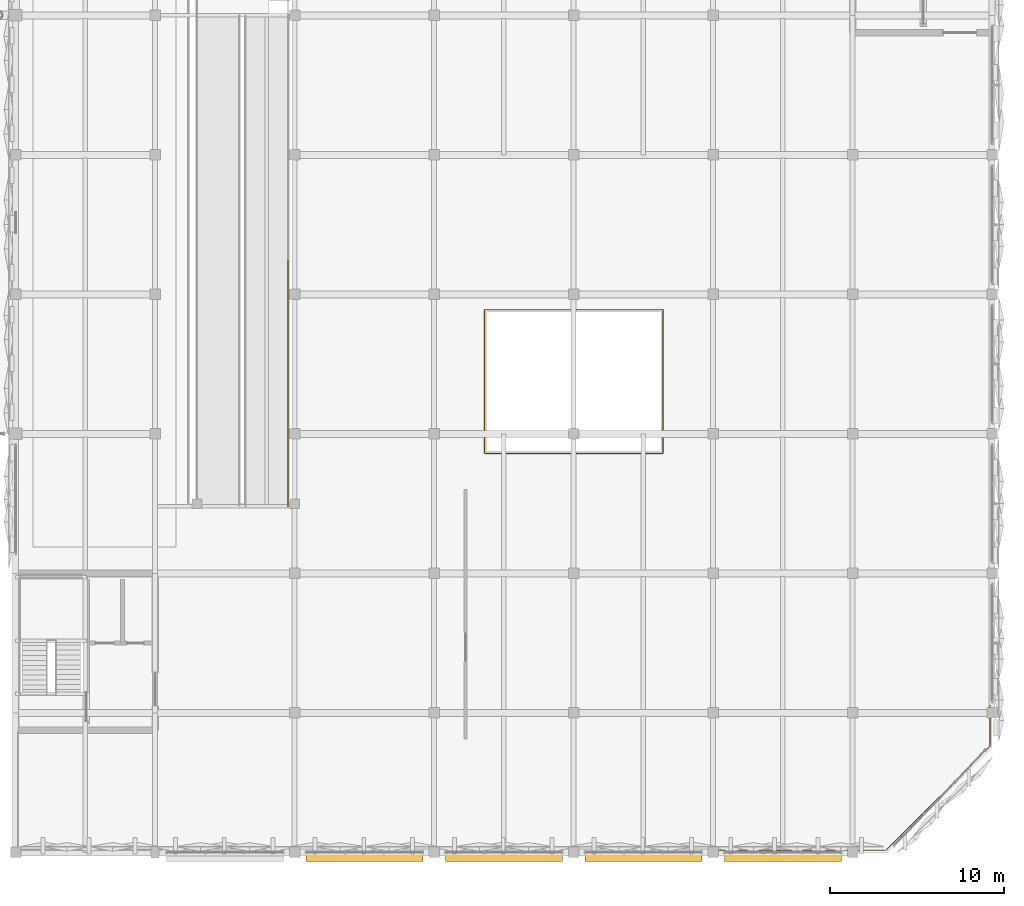
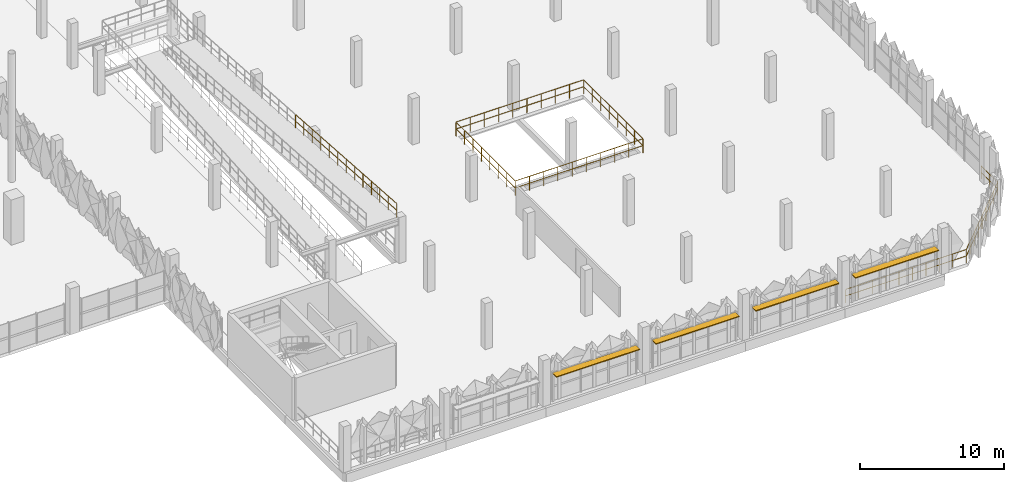
# One storey, part 116 of 123: 4 shading devices, 3 railings.
"""IFC4 building model written with IfcOpenShell, lengths in metres."""

import ifcopenshell
import ifcopenshell.guid

model = None  # the IFC model being written
_history = None  # IfcOwnerHistory: only IFC2X3 demands one
_inside = {}  # id of a spatial element -> (the spatial element, [elements in it])
_under = {}  # id of a project, library or spatial element -> (it, [spatial elements below it])
_declared = {}  # id of a project -> (the project, [libraries it declares])
_typed = {}  # id of a type object -> (the type object, [elements of that type])
_made_of = {}  # id of a material, layer set ... -> (it, [elements and type objects made of it])


def new_model(schema):
    """Start an empty IFC model of exactly this schema.

    Asked for "IFC4X3", IfcOpenShell would pick the latest addendum, in which some entities
    have other attributes; the version numbers below select the first issue.
    IFC2X3 requires an IfcOwnerHistory on every rooted entity: one is made here for all.
    """
    global model, _history
    if schema == "IFC4X3":
        model = ifcopenshell.file(schema_version=(4, 3, 0, 0))
    else:
        model = ifcopenshell.file(schema=schema)
    _inside.clear()
    _under.clear()
    _declared.clear()
    _typed.clear()
    _made_of.clear()
    _history = None
    if model.schema == "IFC2X3":
        org = make("IfcOrganization", Name="unknown")
        user = make(
            "IfcPersonAndOrganization",
            ThePerson=make("IfcPerson", FamilyName="unknown"),
            TheOrganization=org,
        )
        app = make(
            "IfcApplication",
            ApplicationDeveloper=org,
            Version="unknown",
            ApplicationFullName="unknown",
            ApplicationIdentifier="unknown",
        )
        _history = make(
            "IfcOwnerHistory",
            OwningUser=user,
            OwningApplication=app,
            ChangeAction="ADDED",
            CreationDate=0,
        )
    return model


def make(cls, **values):
    """One entity of the class cls with the attributes given. An attribute that is None is left unset."""
    return model.create_entity(
        cls, **{name: value for name, value in values.items() if value is not None}
    )


def rooted(cls, **values):
    """An entity with a GlobalId (a new one), such as an element, a storey or a relation."""
    return make(cls, GlobalId=ifcopenshell.guid.new(), OwnerHistory=_history, **values)


def si_unit(unit_type, name, prefix=None):
    """IfcSIUnit, for example si_unit("LENGTHUNIT", "METRE", prefix="MILLI")."""
    return make("IfcSIUnit", UnitType=unit_type, Prefix=prefix, Name=name)


def derived_unit(unit_type, elements):
    """IfcDerivedUnit: a product of units, each with its exponent."""
    return make(
        "IfcDerivedUnit",
        Elements=[
            make("IfcDerivedUnitElement", Unit=unit, Exponent=power)
            for unit, power in elements
        ],
        UnitType=unit_type,
    )


def assignment(units):
    """IfcUnitAssignment: the units of a project."""
    return None if units is None else make("IfcUnitAssignment", Units=units)


def point(xyz):
    """IfcCartesianPoint."""
    return None if xyz is None else make("IfcCartesianPoint", Coordinates=xyz)


def direction(xyz):
    """IfcDirection."""
    return None if xyz is None else make("IfcDirection", DirectionRatios=xyz)


def frame(location, z_axis=None, x_axis=None):
    """IfcAxis2Placement3D, a coordinate frame: its origin and axes. An axis left out is left unset."""
    return make(
        "IfcAxis2Placement3D",
        Location=point(location),
        Axis=direction(z_axis),
        RefDirection=direction(x_axis),
    )


def frame_2d(location, x_axis=None):
    """IfcAxis2Placement2D, a coordinate frame in the plane: its origin and x axis."""
    return make(
        "IfcAxis2Placement2D", Location=point(location), RefDirection=direction(x_axis)
    )


def origin():
    """The frame at (0, 0, 0) with its axes left unset."""
    return frame((0.0, 0.0, 0.0))


def origin_2d():
    """The frame at (0, 0) in the plane with its x axis left unset."""
    return frame_2d((0.0, 0.0))


def place(relative_to, where):
    """IfcLocalPlacement: puts the frame where relative to a parent placement (None: the world)."""
    return make(
        "IfcLocalPlacement", PlacementRelTo=relative_to, RelativePlacement=where
    )


def context(
    kind, dimensions, precision=None, world=None, true_north=None, identifier=None
):
    """IfcGeometricRepresentationContext, for example the 3D "Model" context."""
    return make(
        "IfcGeometricRepresentationContext",
        ContextIdentifier=identifier,
        ContextType=kind,
        CoordinateSpaceDimension=dimensions,
        Precision=precision,
        WorldCoordinateSystem=world,
        TrueNorth=true_north,
    )


def subcontext(parent, identifier, kind, view, scale=None):
    """IfcGeometricRepresentationSubContext, for example "Body" below "Model"."""
    return make(
        "IfcGeometricRepresentationSubContext",
        ContextIdentifier=identifier,
        ContextType=kind,
        ParentContext=parent,
        TargetScale=scale,
        TargetView=view,
    )


def project(units=None, contexts=None):
    """IfcProject with its units and contexts."""
    return rooted(
        "IfcProject",
        Name="project",
        RepresentationContexts=contexts,
        UnitsInContext=assignment(units),
    )


def spatial(cls, under=None, at=None, **own):
    """A site, building, storey or space (cls), placed at a placement, below another one or the project."""
    s = rooted(cls, ObjectPlacement=at, **own)
    if under is not None:
        _under.setdefault(under.id(), (under, []))[1].append(s)
    return s


def profile(cls, at=None, kind="AREA", **sizes):
    """A parametric profile (cls). Its sizes go by their IFC names, for example OverallWidth=200.0."""
    return make(cls, ProfileType=kind, Position=at, **sizes)


def rectangle(**sizes):
    """IfcRectangleProfileDef."""
    return profile("IfcRectangleProfileDef", **sizes)


def circle(**sizes):
    """IfcCircleProfileDef."""
    return profile("IfcCircleProfileDef", **sizes)


def extrude(swept, where, along, depth):
    """IfcExtrudedAreaSolid: the profile swept, set in the frame where, extruded along a direction by depth."""
    return make(
        "IfcExtrudedAreaSolid",
        SweptArea=swept,
        Position=where,
        ExtrudedDirection=direction(along),
        Depth=depth,
    )


def shape(context_of_items, identifier, shape_type, items):
    """IfcShapeRepresentation: the items that make up one representation, for example the "Body"."""
    return make(
        "IfcShapeRepresentation",
        ContextOfItems=context_of_items,
        RepresentationIdentifier=identifier,
        RepresentationType=shape_type,
        Items=items,
    )


def material(Name=None, Category=None):
    """IfcMaterial."""
    return make("IfcMaterial", Name=Name, Category=Category)


def material_profile(
    of_material, cross_section, Name=None, Category=None, Priority=None
):
    """IfcMaterialProfile: a cross section and its material."""
    return make(
        "IfcMaterialProfile",
        Name=Name,
        Material=of_material,
        Profile=cross_section,
        Priority=Priority,
        Category=Category,
    )


def profile_set(profiles, Name=None, composite=None):
    """IfcMaterialProfileSet."""
    return make(
        "IfcMaterialProfileSet",
        Name=Name,
        MaterialProfiles=profiles,
        CompositeProfile=composite,
    )


def made_of(thing, what):
    """Note that an element or type object is made of a material, layer set ...; save() writes the relation."""
    if what is not None:
        _made_of.setdefault(what.id(), (what, []))[1].append(thing)
    return thing


def type_object(cls, material=None, **own):
    """A type object (cls), such as IfcWallType, which elements share."""
    return made_of(rooted(cls, **own), material)


def element(
    cls,
    number,
    at=None,
    inside=None,
    cuts=None,
    type_object=None,
    material=None,
    context=None,
    identifier="Body",
    shape_type=None,
    held_by="IfcProductDefinitionShape",
    body=None,
    shapes=None,
    **own,
):
    """One element of the class cls, such as IfcWall. Its Tag is "e" and its number.

    at: its placement. inside: the storey or other place that contains it. cuts: it is an
    opening in that element (IfcRelVoidsElement). A single representation is given by context,
    identifier, shape_type and body (its items); several are given by shapes. held_by: the class
    of the entity that holds the representations. save() writes the other relations.
    """
    e = rooted(cls, Tag="e%d" % number, ObjectPlacement=at, **own)
    if body is not None:
        shapes = [shape(context, identifier, shape_type, body)]
    if shapes is not None:
        e.Representation = make(held_by, Representations=shapes)
    if inside is not None:
        _inside.setdefault(inside.id(), (inside, []))[1].append(e)
    if cuts is not None:
        rooted(
            "IfcRelVoidsElement", RelatingBuildingElement=cuts, RelatedOpeningElement=e
        )
    if type_object is not None:
        _typed.setdefault(type_object.id(), (type_object, []))[1].append(e)
    return made_of(e, material)


def aggregate(whole, parts):
    """IfcRelAggregates: a whole, such as a stair, and the parts it consists of."""
    return rooted("IfcRelAggregates", RelatingObject=whole, RelatedObjects=parts)


def save(model, path):
    """Write the relations noted so far, then the file.

    IfcRelAggregates (storeys below a building ...), IfcRelContainedInSpatialStructure (elements
    in a storey), IfcRelDefinesByType, IfcRelAssociatesMaterial and IfcRelDeclares: one each for
    every whole, place, type object, material and project.
    """
    for whole, parts in _under.values():
        aggregate(whole, parts)
    for where, things in _inside.values():
        rooted(
            "IfcRelContainedInSpatialStructure",
            RelatedElements=things,
            RelatingStructure=where,
        )
    for kind, things in _typed.values():
        rooted("IfcRelDefinesByType", RelatedObjects=things, RelatingType=kind)
    for what, things in _made_of.values():
        rooted("IfcRelAssociatesMaterial", RelatedObjects=things, RelatingMaterial=what)
    for by, libraries in _declared.values():
        rooted("IfcRelDeclares", RelatingContext=by, RelatedDefinitions=libraries)
    model.write(path)


model = new_model("IFC4")

# Units and contexts
model_context = context("Model", 3, precision=1e-05, world=origin(), true_north=direction((0.0, 1.0)))
body_context = subcontext(model_context, "Body", "Model", "MODEL_VIEW")
ifc_project = project(units=[si_unit("LENGTHUNIT", "METRE"), si_unit("AREAUNIT", "SQUARE_METRE"), si_unit("VOLUMEUNIT", "CUBIC_METRE"), si_unit("PLANEANGLEUNIT", "RADIAN"), si_unit("MASSUNIT", "GRAM", prefix="KILO"), si_unit("THERMODYNAMICTEMPERATUREUNIT", "KELVIN"), derived_unit("THERMALTRANSMITTANCEUNIT", [(si_unit("POWERUNIT", "WATT"), 1), (si_unit("AREAUNIT", "SQUARE_METRE"), -1), (si_unit("THERMODYNAMICTEMPERATUREUNIT", "KELVIN"), -1)])], contexts=[model_context])

# Site, building, storey
site_placement = place(None, origin())
site = spatial("IfcSite", under=ifc_project, at=site_placement, CompositionType="ELEMENT")
building_placement = place(site_placement, origin())
building = spatial("IfcBuilding", under=site, at=building_placement, Name="Haiyu Intermodal Mobility Hub", CompositionType="ELEMENT")
storey_placement = place(building_placement, frame((0.0, 0.0, 5.60009765625)))
storey = spatial("IfcBuildingStorey", under=building, at=storey_placement, Name="L01", CompositionType="ELEMENT", Elevation=5.60009765625)

# Railings
ifc_material_1 = material(Name="Steel Q355C", Category="steel")
railing_type_1 = type_object("IfcRailingType", Name="RAL-GR02", PredefinedType="GUARDRAIL", material=ifc_material_1)
railing_1_placement = place(storey_placement, frame((180.8798828125, 38.8798828125, 0.0)))
element("IfcRailing", 1, at=railing_1_placement, inside=storey, type_object=railing_type_1, Name="RAL-V5ATR-L01", PredefinedType="GUARDRAIL", context=body_context, shape_type="SweptSolid", body=[
    extrude(circle(Radius=0.02392578125, at=origin_2d()), frame((0.030029296875, 0.0, 1.19580078125), z_axis=(1.0, 0.0, 0.0), x_axis=(0.0, 1.0, 0.0)), (0.0, 0.0, 1.0), 10.18017578125),
    extrude(circle(Radius=0.02392578125, at=origin_2d()), frame((0.037353515625, 0.0, 0.60986328125), z_axis=(1.0, 0.0, 0.0), x_axis=(0.0, 1.0, 0.0)), (0.0, 0.0, 1.0), 1.063232421875),
    extrude(circle(Radius=0.02392578125, at=origin_2d()), frame((1.175048828125, 0.0, 0.60986328125), z_axis=(1.0, 0.0, 0.0), x_axis=(0.0, 1.0, 0.0)), (0.0, 0.0, 1.0), 1.063232421875),
    extrude(circle(Radius=0.02392578125, at=origin_2d()), frame((2.31298828125, 0.0, 0.60986328125), z_axis=(1.0, 0.0, 0.0), x_axis=(0.0, 1.0, 0.0)), (0.0, 0.0, 1.0), 1.063232421875),
    extrude(circle(Radius=0.02392578125, at=origin_2d()), frame((3.45068359375, 0.0, 0.60986328125), z_axis=(1.0, 0.0, 0.0), x_axis=(0.0, 1.0, 0.0)), (0.0, 0.0, 1.0), 1.063232421875),
    extrude(circle(Radius=0.02392578125, at=origin_2d()), frame((4.588623046875, 0.0, 0.60986328125), z_axis=(1.0, 0.0, 0.0), x_axis=(0.0, 1.0, 0.0)), (0.0, 0.0, 1.0), 1.063232421875),
    extrude(circle(Radius=0.02392578125, at=origin_2d()), frame((5.726318359375, 0.0, 0.60986328125), z_axis=(1.0, 0.0, 0.0), x_axis=(0.0, 1.0, 0.0)), (0.0, 0.0, 1.0), 1.063232421875),
    extrude(circle(Radius=0.02392578125, at=origin_2d()), frame((6.864013671875, 0.0, 0.60986328125), z_axis=(1.0, 0.0, 0.0), x_axis=(0.0, 1.0, 0.0)), (0.0, 0.0, 1.0), 1.063232421875),
    extrude(circle(Radius=0.02392578125, at=origin_2d()), frame((8.001953125, 0.0, 0.60986328125), z_axis=(1.0, 0.0, 0.0), x_axis=(0.0, 1.0, 0.0)), (0.0, 0.0, 1.0), 1.063232421875),
    extrude(circle(Radius=0.02392578125, at=origin_2d()), frame((9.1396484375, 0.0, 0.60986328125), z_axis=(1.0, 0.0, 0.0), x_axis=(0.0, 1.0, 0.0)), (0.0, 0.0, 1.0), 1.063232421875),
    extrude(circle(Radius=0.02392578125, at=origin_2d()), frame((10.240234375, 0.030029296875, 1.19580078125), z_axis=(0.0, 1.0, 0.0), x_axis=(-1.0, 0.0, 0.0)), (0.0, 0.0, 1.0), 8.18017578125),
    extrude(circle(Radius=0.02392578125, at=origin_2d()), frame((10.240234375, 0.037353515625, 0.60986328125), z_axis=(0.0, 1.0, 0.0), x_axis=(-1.0, 0.0, 0.0)), (0.0, 0.0, 1.0), 1.1025390625),
    extrude(circle(Radius=0.02392578125, at=origin_2d()), frame((10.240234375, 1.21435546875, 0.60986328125), z_axis=(0.0, 1.0, 0.0), x_axis=(-1.0, 0.0, 0.0)), (0.0, 0.0, 1.0), 1.1025390625),
    extrude(circle(Radius=0.02392578125, at=origin_2d()), frame((10.240234375, 2.3916015625, 0.60986328125), z_axis=(0.0, 1.0, 0.0), x_axis=(-1.0, 0.0, 0.0)), (0.0, 0.0, 1.0), 1.1025390625),
    extrude(circle(Radius=0.02392578125, at=origin_2d()), frame((10.240234375, 3.56884765625, 0.60986328125), z_axis=(0.0, 1.0, 0.0), x_axis=(-1.0, 0.0, 0.0)), (0.0, 0.0, 1.0), 1.1025390625),
    extrude(circle(Radius=0.02392578125, at=origin_2d()), frame((10.240234375, 4.74609375, 0.60986328125), z_axis=(0.0, 1.0, 0.0), x_axis=(-1.0, 0.0, 0.0)), (0.0, 0.0, 1.0), 1.1025390625),
    extrude(circle(Radius=0.02392578125, at=origin_2d()), frame((10.240234375, 5.923095703125, 0.60986328125), z_axis=(0.0, 1.0, 0.0), x_axis=(-1.0, 0.0, 0.0)), (0.0, 0.0, 1.0), 1.1025390625),
    extrude(circle(Radius=0.02392578125, at=origin_2d()), frame((10.240234375, 7.100341796875, 0.60986328125), z_axis=(0.0, 1.0, 0.0), x_axis=(-1.0, 0.0, 0.0)), (0.0, 0.0, 1.0), 1.1025390625),
    extrude(circle(Radius=0.02392578125, at=origin_2d()), frame((10.210205078125, 8.240234375, 1.19580078125), z_axis=(-1.0, 0.0, 0.0), x_axis=(0.0, -1.0, 0.0)), (0.0, 0.0, 1.0), 10.18017578125),
    extrude(circle(Radius=0.02392578125, at=origin_2d()), frame((10.202880859375, 8.240234375, 0.60986328125), z_axis=(-1.0, 0.0, 0.0), x_axis=(0.0, -1.0, 0.0)), (0.0, 0.0, 1.0), 1.063232421875),
    extrude(circle(Radius=0.02392578125, at=origin_2d()), frame((9.065185546875, 8.240234375, 0.60986328125), z_axis=(-1.0, 0.0, 0.0), x_axis=(0.0, -1.0, 0.0)), (0.0, 0.0, 1.0), 1.063232421875),
    extrude(circle(Radius=0.02392578125, at=origin_2d()), frame((7.92724609375, 8.240234375, 0.60986328125), z_axis=(-1.0, 0.0, 0.0), x_axis=(0.0, -1.0, 0.0)), (0.0, 0.0, 1.0), 1.063232421875),
    extrude(circle(Radius=0.02392578125, at=origin_2d()), frame((6.78955078125, 8.240234375, 0.60986328125), z_axis=(-1.0, 0.0, 0.0), x_axis=(0.0, -1.0, 0.0)), (0.0, 0.0, 1.0), 1.063232421875),
    extrude(circle(Radius=0.02392578125, at=origin_2d()), frame((5.651611328125, 8.240234375, 0.60986328125), z_axis=(-1.0, 0.0, 0.0), x_axis=(0.0, -1.0, 0.0)), (0.0, 0.0, 1.0), 1.063232421875),
    extrude(circle(Radius=0.02392578125, at=origin_2d()), frame((4.513916015625, 8.240234375, 0.60986328125), z_axis=(-1.0, 0.0, 0.0), x_axis=(0.0, -1.0, 0.0)), (0.0, 0.0, 1.0), 1.063232421875),
    extrude(circle(Radius=0.02392578125, at=origin_2d()), frame((3.376220703125, 8.240234375, 0.60986328125), z_axis=(-1.0, 0.0, 0.0), x_axis=(0.0, -1.0, 0.0)), (0.0, 0.0, 1.0), 1.063232421875),
    extrude(circle(Radius=0.02392578125, at=origin_2d()), frame((2.23828125, 8.240234375, 0.60986328125), z_axis=(-1.0, 0.0, 0.0), x_axis=(0.0, -1.0, 0.0)), (0.0, 0.0, 1.0), 1.063232421875),
    extrude(circle(Radius=0.02392578125, at=origin_2d()), frame((1.1005859375, 8.240234375, 0.60986328125), z_axis=(-1.0, 0.0, 0.0), x_axis=(0.0, -1.0, 0.0)), (0.0, 0.0, 1.0), 1.063232421875),
    extrude(circle(Radius=0.02392578125, at=origin_2d()), frame((0.0, 8.210205078125, 1.19580078125), z_axis=(0.0, -1.0, 0.0), x_axis=(1.0, 0.0, 0.0)), (0.0, 0.0, 1.0), 8.18017578125),
    extrude(circle(Radius=0.02392578125, at=origin_2d()), frame((0.0, 8.202880859375, 0.60986328125), z_axis=(0.0, -1.0, 0.0), x_axis=(1.0, 0.0, 0.0)), (0.0, 0.0, 1.0), 1.1025390625),
    extrude(circle(Radius=0.02392578125, at=origin_2d()), frame((0.0, 7.02587890625, 0.60986328125), z_axis=(0.0, -1.0, 0.0), x_axis=(1.0, 0.0, 0.0)), (0.0, 0.0, 1.0), 1.1025390625),
    extrude(circle(Radius=0.02392578125, at=origin_2d()), frame((0.0, 5.8486328125, 0.60986328125), z_axis=(0.0, -1.0, 0.0), x_axis=(1.0, 0.0, 0.0)), (0.0, 0.0, 1.0), 1.1025390625),
    extrude(circle(Radius=0.02392578125, at=origin_2d()), frame((0.0, 4.67138671875, 0.60986328125), z_axis=(0.0, -1.0, 0.0), x_axis=(1.0, 0.0, 0.0)), (0.0, 0.0, 1.0), 1.1025390625),
    extrude(circle(Radius=0.02392578125, at=origin_2d()), frame((0.0, 3.494140625, 0.60986328125), z_axis=(0.0, -1.0, 0.0), x_axis=(1.0, 0.0, 0.0)), (0.0, 0.0, 1.0), 1.1025390625),
    extrude(circle(Radius=0.02392578125, at=origin_2d()), frame((0.0, 2.317138671875, 0.60986328125), z_axis=(0.0, -1.0, 0.0), x_axis=(1.0, 0.0, 0.0)), (0.0, 0.0, 1.0), 1.1025390625),
    extrude(circle(Radius=0.02392578125, at=origin_2d()), frame((0.0, 1.139892578125, 0.60986328125), z_axis=(0.0, -1.0, 0.0), x_axis=(1.0, 0.0, 0.0)), (0.0, 0.0, 1.0), 1.1025390625),
    extrude(circle(Radius=0.02099609375, at=origin_2d()), origin(), (0.0, 0.0, 1.0), 1.163818359375),
    extrude(circle(Radius=0.02099609375, at=origin_2d()), frame((1.1376953125, 0.0, 0.0)), (0.0, 0.0, 1.0), 1.163818359375),
    extrude(circle(Radius=0.02099609375, at=origin_2d()), frame((2.275634765625, 0.0, 0.0)), (0.0, 0.0, 1.0), 1.163818359375),
    extrude(circle(Radius=0.02099609375, at=origin_2d()), frame((3.413330078125, 0.0, 0.0)), (0.0, 0.0, 1.0), 1.163818359375),
    extrude(circle(Radius=0.02099609375, at=origin_2d()), frame((4.55126953125, 0.0, 0.0)), (0.0, 0.0, 1.0), 1.163818359375),
    extrude(circle(Radius=0.02099609375, at=origin_2d()), frame((5.68896484375, 0.0, 0.0)), (0.0, 0.0, 1.0), 1.163818359375),
    extrude(circle(Radius=0.02099609375, at=origin_2d()), frame((6.826904296875, 0.0, 0.0)), (0.0, 0.0, 1.0), 1.163818359375),
    extrude(circle(Radius=0.02099609375, at=origin_2d()), frame((7.964599609375, 0.0, 0.0)), (0.0, 0.0, 1.0), 1.163818359375),
    extrude(circle(Radius=0.02099609375, at=origin_2d()), frame((9.1025390625, 0.0, 0.0)), (0.0, 0.0, 1.0), 1.163818359375),
    extrude(circle(Radius=0.02099609375, at=origin_2d()), frame((10.240234375, 0.0, 0.0)), (0.0, 0.0, 1.0), 1.163818359375),
    extrude(circle(Radius=0.02099609375, at=origin_2d()), frame((10.240234375, 1.17724609375, 0.0)), (0.0, 0.0, 1.0), 1.163818359375),
    extrude(circle(Radius=0.02099609375, at=origin_2d()), frame((10.240234375, 2.354248046875, 0.0)), (0.0, 0.0, 1.0), 1.163818359375),
    extrude(circle(Radius=0.02099609375, at=origin_2d()), frame((10.240234375, 3.531494140625, 0.0)), (0.0, 0.0, 1.0), 1.163818359375),
    extrude(circle(Radius=0.02099609375, at=origin_2d()), frame((10.240234375, 4.708740234375, 0.0)), (0.0, 0.0, 1.0), 1.163818359375),
    extrude(circle(Radius=0.02099609375, at=origin_2d()), frame((10.240234375, 5.885986328125, 0.0)), (0.0, 0.0, 1.0), 1.163818359375),
    extrude(circle(Radius=0.02099609375, at=origin_2d()), frame((10.240234375, 7.06298828125, 0.0)), (0.0, 0.0, 1.0), 1.163818359375),
    extrude(circle(Radius=0.02099609375, at=origin_2d()), frame((10.240234375, 8.240234375, 0.0)), (0.0, 0.0, 1.0), 1.163818359375),
    extrude(circle(Radius=0.02099609375, at=origin_2d()), frame((9.1025390625, 8.240234375, 0.0)), (0.0, 0.0, 1.0), 1.163818359375),
    extrude(circle(Radius=0.02099609375, at=origin_2d()), frame((7.964599609375, 8.240234375, 0.0)), (0.0, 0.0, 1.0), 1.163818359375),
    extrude(circle(Radius=0.02099609375, at=origin_2d()), frame((6.826904296875, 8.240234375, 0.0)), (0.0, 0.0, 1.0), 1.163818359375),
    extrude(circle(Radius=0.02099609375, at=origin_2d()), frame((5.68896484375, 8.240234375, 0.0)), (0.0, 0.0, 1.0), 1.163818359375),
    extrude(circle(Radius=0.02099609375, at=origin_2d()), frame((4.55126953125, 8.240234375, 0.0)), (0.0, 0.0, 1.0), 1.163818359375),
    extrude(circle(Radius=0.02099609375, at=origin_2d()), frame((3.413330078125, 8.240234375, 0.0)), (0.0, 0.0, 1.0), 1.163818359375),
    extrude(circle(Radius=0.02099609375, at=origin_2d()), frame((2.275634765625, 8.240234375, 0.0)), (0.0, 0.0, 1.0), 1.163818359375),
    extrude(circle(Radius=0.02099609375, at=origin_2d()), frame((1.1376953125, 8.240234375, 0.0)), (0.0, 0.0, 1.0), 1.163818359375),
    extrude(circle(Radius=0.02099609375, at=origin_2d()), frame((0.0, 8.240234375, 0.0)), (0.0, 0.0, 1.0), 1.163818359375),
    extrude(circle(Radius=0.02099609375, at=origin_2d()), frame((0.0, 7.06298828125, 0.0)), (0.0, 0.0, 1.0), 1.163818359375),
    extrude(circle(Radius=0.02099609375, at=origin_2d()), frame((0.0, 5.885986328125, 0.0)), (0.0, 0.0, 1.0), 1.163818359375),
    extrude(circle(Radius=0.02099609375, at=origin_2d()), frame((0.0, 4.708740234375, 0.0)), (0.0, 0.0, 1.0), 1.163818359375),
    extrude(circle(Radius=0.02099609375, at=origin_2d()), frame((0.0, 3.531494140625, 0.0)), (0.0, 0.0, 1.0), 1.163818359375),
    extrude(circle(Radius=0.02099609375, at=origin_2d()), frame((0.0, 2.354248046875, 0.0)), (0.0, 0.0, 1.0), 1.163818359375),
    extrude(circle(Radius=0.02099609375, at=origin_2d()), frame((0.0, 1.17724609375, 0.0)), (0.0, 0.0, 1.0), 1.163818359375),
])
railing_type_2 = type_object("IfcRailingType", Name="RAL-GR03", PredefinedType="GUARDRAIL", material=ifc_material_1)
railing_2_placement = place(storey_placement, frame((169.6201171875, 49.925048828125, 2.9248046875)))
element("IfcRailing", 2, at=railing_2_placement, inside=storey, type_object=railing_type_2, Name="RAL-RMP-BIKE-L01-F2EB", PredefinedType="GUARDRAIL", context=body_context, shape_type="SweptSolid", body=[
    extrude(circle(Radius=0.02392578125, at=origin_2d()), frame((0.0, -0.030029296875, 1.157958984375), z_axis=(0.0, -0.99760881849, 0.069113278539), x_axis=(1.0, 0.0, 0.0)), (0.0, 0.0, 1.0), 14.048583984375),
    extrude(circle(Radius=0.02392578125, at=origin_2d()), frame((0.0, -0.037109375, 0.592529296875), z_axis=(0.0, -0.99760881849, 0.069113278539), x_axis=(1.0, 0.0, 0.0)), (0.0, 0.0, 1.0), 1.10107421875),
    extrude(circle(Radius=0.02392578125, at=origin_2d()), frame((0.0, -1.210205078125, 0.673828125), z_axis=(0.0, -0.99760881849, 0.069113278539), x_axis=(1.0, 0.0, 0.0)), (0.0, 0.0, 1.0), 1.10107421875),
    extrude(circle(Radius=0.02392578125, at=origin_2d()), frame((0.0, -2.383056640625, 0.755126953125), z_axis=(0.0, -0.99760881849, 0.069113278539), x_axis=(1.0, 0.0, 0.0)), (0.0, 0.0, 1.0), 1.10107421875),
    extrude(circle(Radius=0.02392578125, at=origin_2d()), frame((0.0, -3.555908203125, 0.83642578125), z_axis=(0.0, -0.99760881849, 0.069113278539), x_axis=(1.0, 0.0, 0.0)), (0.0, 0.0, 1.0), 1.10107421875),
    extrude(circle(Radius=0.02392578125, at=origin_2d()), frame((0.0, -4.728759765625, 0.91748046875), z_axis=(0.0, -0.99760881849, 0.069113278539), x_axis=(1.0, 0.0, 0.0)), (0.0, 0.0, 1.0), 1.10107421875),
    extrude(circle(Radius=0.02392578125, at=origin_2d()), frame((0.0, -5.90185546875, 0.998779296875), z_axis=(0.0, -0.99760881849, 0.069113278539), x_axis=(1.0, 0.0, 0.0)), (0.0, 0.0, 1.0), 1.10107421875),
    extrude(circle(Radius=0.02392578125, at=origin_2d()), frame((0.0, -7.07470703125, 1.080078125), z_axis=(0.0, -0.99760881849, 0.069113278539), x_axis=(1.0, 0.0, 0.0)), (0.0, 0.0, 1.0), 1.10107421875),
    extrude(circle(Radius=0.02392578125, at=origin_2d()), frame((0.0, -8.24755859375, 1.161376953125), z_axis=(0.0, -0.99760881849, 0.069113278539), x_axis=(1.0, 0.0, 0.0)), (0.0, 0.0, 1.0), 1.10107421875),
    extrude(circle(Radius=0.02392578125, at=origin_2d()), frame((0.0, -9.42041015625, 1.24267578125), z_axis=(0.0, -0.99760881849, 0.069113278539), x_axis=(1.0, 0.0, 0.0)), (0.0, 0.0, 1.0), 1.10107421875),
    extrude(circle(Radius=0.02392578125, at=origin_2d()), frame((0.0, -10.593505859375, 1.323974609375), z_axis=(0.0, -0.99760881849, 0.069113278539), x_axis=(1.0, 0.0, 0.0)), (0.0, 0.0, 1.0), 1.10107421875),
    extrude(circle(Radius=0.02392578125, at=origin_2d()), frame((0.0, -11.766357421875, 1.405029296875), z_axis=(0.0, -0.99760881849, 0.069113278539), x_axis=(1.0, 0.0, 0.0)), (0.0, 0.0, 1.0), 1.10107421875),
    extrude(circle(Radius=0.02392578125, at=origin_2d()), frame((0.0, -12.939208984375, 1.486328125), z_axis=(0.0, -0.99760881849, 0.069113278539), x_axis=(1.0, 0.0, 0.0)), (0.0, 0.0, 1.0), 1.10107421875),
    extrude(circle(Radius=0.02099609375, at=origin_2d()), origin(), (0.0, 0.0, 1.0), 1.123779296875),
    extrude(circle(Radius=0.02099609375, at=origin_2d()), frame((0.0, -1.1728515625, 0.081298828125)), (0.0, 0.0, 1.0), 1.123779296875),
    extrude(circle(Radius=0.02099609375, at=origin_2d()), frame((0.0, -2.345703125, 0.16259765625)), (0.0, 0.0, 1.0), 1.123779296875),
    extrude(circle(Radius=0.02099609375, at=origin_2d()), frame((0.0, -3.518798828125, 0.24365234375)), (0.0, 0.0, 1.0), 1.123779296875),
    extrude(circle(Radius=0.02099609375, at=origin_2d()), frame((0.0, -4.691650390625, 0.324951171875)), (0.0, 0.0, 1.0), 1.123779296875),
    extrude(circle(Radius=0.02099609375, at=origin_2d()), frame((0.0, -5.864501953125, 0.40625)), (0.0, 0.0, 1.0), 1.123779296875),
    extrude(circle(Radius=0.02099609375, at=origin_2d()), frame((0.0, -7.03759765625, 0.487548828125)), (0.0, 0.0, 1.0), 1.123779296875),
    extrude(circle(Radius=0.02099609375, at=origin_2d()), frame((0.0, -8.21044921875, 0.56884765625)), (0.0, 0.0, 1.0), 1.123779296875),
    extrude(circle(Radius=0.02099609375, at=origin_2d()), frame((0.0, -9.38330078125, 0.650146484375)), (0.0, 0.0, 1.0), 1.123779296875),
    extrude(circle(Radius=0.02099609375, at=origin_2d()), frame((0.0, -10.55615234375, 0.7314453125)), (0.0, 0.0, 1.0), 1.123779296875),
    extrude(circle(Radius=0.02099609375, at=origin_2d()), frame((0.0, -11.72900390625, 0.8125)), (0.0, 0.0, 1.0), 1.123779296875),
    extrude(circle(Radius=0.02099609375, at=origin_2d()), frame((0.0, -12.902099609375, 0.893798828125)), (0.0, 0.0, 1.0), 1.123779296875),
    extrude(circle(Radius=0.02099609375, at=origin_2d()), frame((0.0, -14.074951171875, 0.97509765625)), (0.0, 0.0, 1.0), 1.123779296875),
])
railing_3_placement = place(storey_placement, frame((194.199951171875, 16.1201171875, 0.0)))
element("IfcRailing", 3, at=railing_3_placement, inside=storey, type_object=railing_type_2, Name="RAL-V5CH-L01", PredefinedType="GUARDRAIL", context=body_context, shape_type="SweptSolid", body=[
    extrude(circle(Radius=0.02392578125, at=origin_2d()), frame((0.030029296875, 0.0, 1.1259765625), z_axis=(1.0, 0.0, 0.0), x_axis=(0.0, 1.0, 0.0)), (0.0, 0.0, 1.0), 9.659912109375),
    extrude(circle(Radius=0.02392578125, at=origin_2d()), frame((0.037353515625, 0.0, 0.574951171875), z_axis=(1.0, 0.0, 0.0), x_axis=(0.0, 1.0, 0.0)), (0.0, 0.0, 1.0), 1.00537109375),
    extrude(circle(Radius=0.02392578125, at=origin_2d()), frame((1.1171875, 0.0, 0.574951171875), z_axis=(1.0, 0.0, 0.0), x_axis=(0.0, 1.0, 0.0)), (0.0, 0.0, 1.0), 1.00537109375),
    extrude(circle(Radius=0.02392578125, at=origin_2d()), frame((2.197265625, 0.0, 0.574951171875), z_axis=(1.0, 0.0, 0.0), x_axis=(0.0, 1.0, 0.0)), (0.0, 0.0, 1.0), 1.00537109375),
    extrude(circle(Radius=0.02392578125, at=origin_2d()), frame((3.27734375, 0.0, 0.574951171875), z_axis=(1.0, 0.0, 0.0), x_axis=(0.0, 1.0, 0.0)), (0.0, 0.0, 1.0), 1.00537109375),
    extrude(circle(Radius=0.02392578125, at=origin_2d()), frame((4.357177734375, 0.0, 0.574951171875), z_axis=(1.0, 0.0, 0.0), x_axis=(0.0, 1.0, 0.0)), (0.0, 0.0, 1.0), 1.00537109375),
    extrude(circle(Radius=0.02392578125, at=origin_2d()), frame((5.437255859375, 0.0, 0.574951171875), z_axis=(1.0, 0.0, 0.0), x_axis=(0.0, 1.0, 0.0)), (0.0, 0.0, 1.0), 1.00537109375),
    extrude(circle(Radius=0.02392578125, at=origin_2d()), frame((6.517333984375, 0.0, 0.574951171875), z_axis=(1.0, 0.0, 0.0), x_axis=(0.0, 1.0, 0.0)), (0.0, 0.0, 1.0), 1.00537109375),
    extrude(circle(Radius=0.02392578125, at=origin_2d()), frame((7.59716796875, 0.0, 0.574951171875), z_axis=(1.0, 0.0, 0.0), x_axis=(0.0, 1.0, 0.0)), (0.0, 0.0, 1.0), 1.00537109375),
    extrude(circle(Radius=0.02392578125, at=origin_2d()), frame((8.67724609375, 0.0, 0.574951171875), z_axis=(1.0, 0.0, 0.0), x_axis=(0.0, 1.0, 0.0)), (0.0, 0.0, 1.0), 1.00537109375),
    extrude(circle(Radius=0.02392578125, at=origin_2d()), frame((9.7412109375, 0.021240234375, 1.1259765625), z_axis=(0.707106781187, 0.707106781187, 0.0), x_axis=(-0.707106781187, 0.707106781187, 0.0)), (0.0, 0.0, 1.0), 8.36865234375),
    extrude(circle(Radius=0.02392578125, at=origin_2d()), frame((9.746337890625, 0.0263671875, 0.574951171875), z_axis=(0.707106781187, 0.707106781187, 0.0), x_axis=(-0.707106781187, 0.707106781187, 0.0)), (0.0, 0.0, 1.0), 0.97900390625),
    extrude(circle(Radius=0.02392578125, at=origin_2d()), frame((10.491455078125, 0.771484375, 0.574951171875), z_axis=(0.707106781187, 0.707106781187, 0.0), x_axis=(-0.707106781187, 0.707106781187, 0.0)), (0.0, 0.0, 1.0), 0.97900390625),
    extrude(circle(Radius=0.02392578125, at=origin_2d()), frame((11.236328125, 1.516357421875, 0.574951171875), z_axis=(0.707106781187, 0.707106781187, 0.0), x_axis=(-0.707106781187, 0.707106781187, 0.0)), (0.0, 0.0, 1.0), 0.97900390625),
    extrude(circle(Radius=0.02392578125, at=origin_2d()), frame((11.9814453125, 2.261474609375, 0.574951171875), z_axis=(0.707106781187, 0.707106781187, 0.0), x_axis=(-0.707106781187, 0.707106781187, 0.0)), (0.0, 0.0, 1.0), 0.97900390625),
    extrude(circle(Radius=0.02392578125, at=origin_2d()), frame((12.726318359375, 3.00634765625, 0.574951171875), z_axis=(0.707106781187, 0.707106781187, 0.0), x_axis=(-0.707106781187, 0.707106781187, 0.0)), (0.0, 0.0, 1.0), 0.97900390625),
    extrude(circle(Radius=0.02392578125, at=origin_2d()), frame((13.471435546875, 3.75146484375, 0.574951171875), z_axis=(0.707106781187, 0.707106781187, 0.0), x_axis=(-0.707106781187, 0.707106781187, 0.0)), (0.0, 0.0, 1.0), 0.97900390625),
    extrude(circle(Radius=0.02392578125, at=origin_2d()), frame((14.21630859375, 4.496337890625, 0.574951171875), z_axis=(0.707106781187, 0.707106781187, 0.0), x_axis=(-0.707106781187, 0.707106781187, 0.0)), (0.0, 0.0, 1.0), 0.97900390625),
    extrude(circle(Radius=0.02392578125, at=origin_2d()), frame((14.96142578125, 5.241455078125, 0.574951171875), z_axis=(0.707106781187, 0.707106781187, 0.0), x_axis=(-0.707106781187, 0.707106781187, 0.0)), (0.0, 0.0, 1.0), 0.97900390625),
    extrude(circle(Radius=0.02392578125, at=origin_2d()), frame((15.679931640625, 5.989990234375, 1.1259765625), z_axis=(0.0, 1.0, 0.0), x_axis=(-1.0, 0.0, 0.0)), (0.0, 0.0, 1.0), 2.259765625),
    extrude(circle(Radius=0.02392578125, at=origin_2d()), frame((15.679931640625, 5.997314453125, 0.574951171875), z_axis=(0.0, 1.0, 0.0), x_axis=(-1.0, 0.0, 0.0)), (0.0, 0.0, 1.0), 1.085205078125),
    extrude(circle(Radius=0.02392578125, at=origin_2d()), frame((15.679931640625, 7.1572265625, 0.574951171875), z_axis=(0.0, 1.0, 0.0), x_axis=(-1.0, 0.0, 0.0)), (0.0, 0.0, 1.0), 1.085205078125),
    extrude(circle(Radius=0.02099609375, at=origin_2d()), origin(), (0.0, 0.0, 1.0), 1.09375),
    extrude(circle(Radius=0.02099609375, at=origin_2d()), frame((1.080078125, 0.0, 0.0)), (0.0, 0.0, 1.0), 1.09375),
    extrude(circle(Radius=0.02099609375, at=origin_2d()), frame((2.159912109375, 0.0, 0.0)), (0.0, 0.0, 1.0), 1.09375),
    extrude(circle(Radius=0.02099609375, at=origin_2d()), frame((3.239990234375, 0.0, 0.0)), (0.0, 0.0, 1.0), 1.09375),
    extrude(circle(Radius=0.02099609375, at=origin_2d()), frame((4.320068359375, 0.0, 0.0)), (0.0, 0.0, 1.0), 1.09375),
    extrude(circle(Radius=0.02099609375, at=origin_2d()), frame((5.39990234375, 0.0, 0.0)), (0.0, 0.0, 1.0), 1.09375),
    extrude(circle(Radius=0.02099609375, at=origin_2d()), frame((6.47998046875, 0.0, 0.0)), (0.0, 0.0, 1.0), 1.09375),
    extrude(circle(Radius=0.02099609375, at=origin_2d()), frame((7.56005859375, 0.0, 0.0)), (0.0, 0.0, 1.0), 1.09375),
    extrude(circle(Radius=0.02099609375, at=origin_2d()), frame((8.639892578125, 0.0, 0.0)), (0.0, 0.0, 1.0), 1.09375),
    extrude(circle(Radius=0.02099609375, at=origin_2d()), frame((9.719970703125, 0.0, 0.0)), (0.0, 0.0, 1.0), 1.09375),
    extrude(circle(Radius=0.02099609375, at=origin_2d()), frame((10.46484375, 0.7451171875, 0.0)), (0.0, 0.0, 1.0), 1.09375),
    extrude(circle(Radius=0.02099609375, at=origin_2d()), frame((11.2099609375, 1.489990234375, 0.0)), (0.0, 0.0, 1.0), 1.09375),
    extrude(circle(Radius=0.02099609375, at=origin_2d()), frame((11.955078125, 2.23486328125, 0.0)), (0.0, 0.0, 1.0), 1.09375),
    extrude(circle(Radius=0.02099609375, at=origin_2d()), frame((12.699951171875, 2.97998046875, 0.0)), (0.0, 0.0, 1.0), 1.09375),
    extrude(circle(Radius=0.02099609375, at=origin_2d()), frame((13.44482421875, 3.72509765625, 0.0)), (0.0, 0.0, 1.0), 1.09375),
    extrude(circle(Radius=0.02099609375, at=origin_2d()), frame((14.18994140625, 4.469970703125, 0.0)), (0.0, 0.0, 1.0), 1.09375),
    extrude(circle(Radius=0.02099609375, at=origin_2d()), frame((14.93505859375, 5.21484375, 0.0)), (0.0, 0.0, 1.0), 1.09375),
    extrude(circle(Radius=0.02099609375, at=origin_2d()), frame((15.679931640625, 5.9599609375, 0.0)), (0.0, 0.0, 1.0), 1.09375),
    extrude(circle(Radius=0.02099609375, at=origin_2d()), frame((15.679931640625, 7.119873046875, 0.0)), (0.0, 0.0, 1.0), 1.09375),
    extrude(circle(Radius=0.02099609375, at=origin_2d()), frame((15.679931640625, 8.27978515625, 0.0)), (0.0, 0.0, 1.0), 1.09375),
])

# Shading devices
ifc_material_2 = material(Name="Anodised aluminium 6063-T6", Category="aluminium")
ifc_material_profile = material_profile(ifc_material_2, rectangle(XDim=0.080078125, YDim=0.449951171875, at=origin_2d()), Name="FIN80x450")
ifc_profile_set = profile_set([ifc_material_profile], Name="Anodised aluminium 6063-T6")
shading_device_type = type_object("IfcShadingDeviceType", Name="SHD-SD01", PredefinedType="JALOUSIE", material=ifc_profile_set)
for number, where, z_axis, x_axis, name in (
    (4, (174.0, 15.75, 2.29248046875), (0.0, 0.0, 1.0), (1.0, 0.0, 0.0), "SHD-V5S-023"),
    (5, (182.0, 15.75, 2.29248046875), (0.0, 0.0, 1.0), (1.0, 0.0, 0.0), "SHD-V5S-024"),
    (6, (190.0, 15.75, 2.29248046875), (0.0, 0.0, 1.0), (1.0, 0.0, 0.0), "SHD-V5S-025"),
    (7, (198.0, 15.75, 2.29248046875), (0.0, 0.0, 1.0), (1.0, 0.0, 0.0), "SHD-V5S-026"),
):
    element("IfcShadingDevice", number, at=place(storey_placement, frame(where, z_axis=z_axis, x_axis=x_axis)), inside=storey, type_object=shading_device_type, Name=name, PredefinedType="JALOUSIE", context=body_context, shape_type="SweptSolid", body=[
        extrude(rectangle(XDim=6.699951171875, YDim=0.550048828125, at=origin_2d()), origin(), (0.0, 0.0, 1.0), 0.074951171875),
    ])

save(model, "model.ifc")
